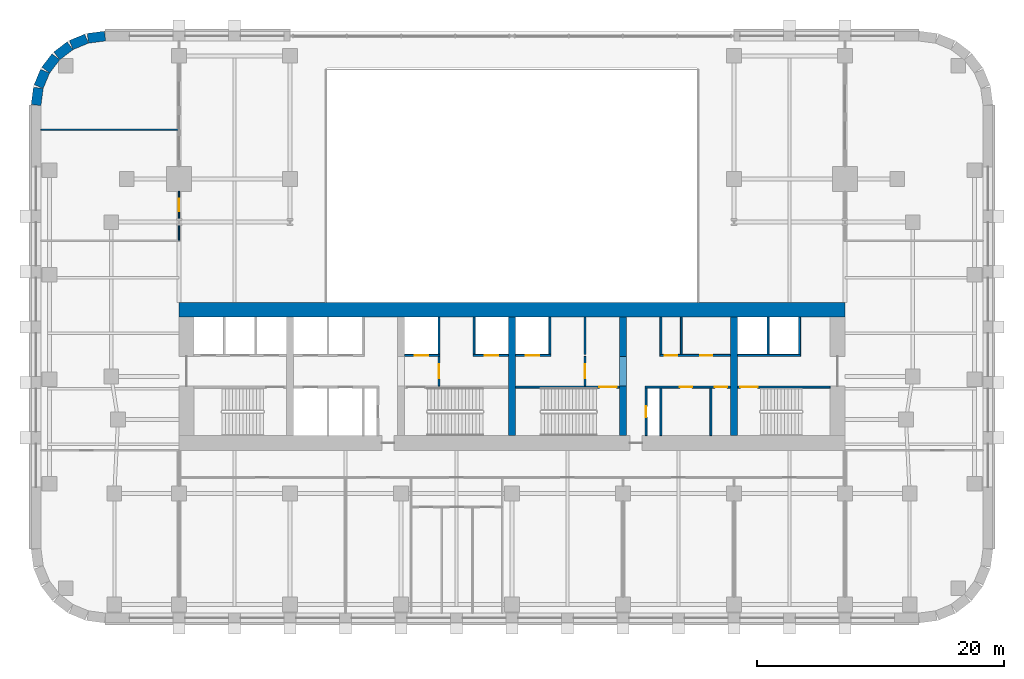
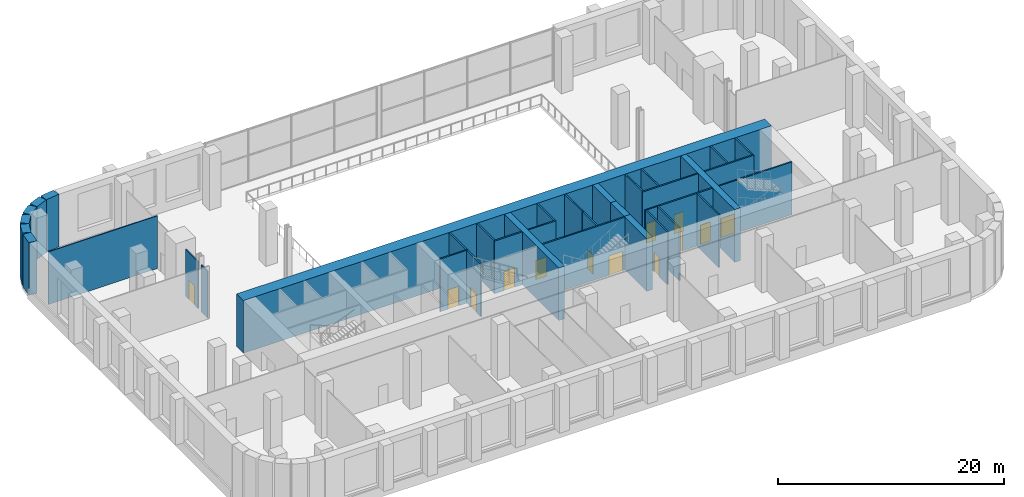
# One storey, part 6 of 13: 36 walls, 13 doors, 13 openings.
"""IFC4 building model written with IfcOpenShell, lengths in metres."""

from ifc_helpers import new_model, si_unit, direction, frame, frame_2d, origin, place, context, subcontext, project, spatial, rectangle, extrude, material, layer, layer_set, type_object, element, fill, save


model = new_model("IFC4")

# Units and contexts
model_context = context("Model", 3, precision=1e-05, world=origin(), true_north=direction((0.0, 1.0)))
body_context = subcontext(model_context, "Body", "Model", "MODEL_VIEW")
ifc_project = project(units=[si_unit("LENGTHUNIT", "METRE"), si_unit("AREAUNIT", "SQUARE_METRE"), si_unit("VOLUMEUNIT", "CUBIC_METRE"), si_unit("PLANEANGLEUNIT", "RADIAN"), si_unit("MASSUNIT", "GRAM", prefix="KILO")], contexts=[model_context])

# Site, building, storey
site_placement = place(None, origin())
site = spatial("IfcSite", under=ifc_project, at=site_placement, CompositionType="ELEMENT")
building_placement = place(site_placement, origin())
building = spatial("IfcBuilding", under=site, at=building_placement, Name="Zellij Exchange Tower", CompositionType="ELEMENT")
storey_placement = place(building_placement, frame((0.0, 0.0, 15.0)))
storey = spatial("IfcBuildingStorey", under=building, at=storey_placement, Name="L02", CompositionType="ELEMENT", Elevation=15.0)

# Walls
ifc_material_1 = material(Name="Concrete C70/85", Category="concrete")
ifc_layer_1 = layer(ifc_material_1, 0.60009765625)
ifc_layer_set_1 = layer_set([ifc_layer_1], Name="Concrete C70/85")
wall_type_1 = type_object("IfcWallType", Name="CORE-CW 600 C70/85", PredefinedType="SHEAR", material=ifc_layer_set_1)
wall_1_placement = place(storey_placement, frame((0.0, -12.800048828125, 0.0), z_axis=(0.0, 0.0, 1.0), x_axis=(0.0, 1.0, 0.0)))
element("IfcWall", 1, at=wall_1_placement, inside=storey, type_object=wall_type_1, Name="Core cross wall x 0 L02", PredefinedType="SHEAR", context=body_context, shape_type="SweptSolid", body=[
    extrude(rectangle(XDim=9.60009765625, YDim=0.60009765625, at=frame_2d((4.800048828125, 0.0))), origin(), (0.0, 0.0, 1.0), 5.699951171875),
])
wall_2_placement = place(storey_placement, frame((9.0, -12.800048828125, 0.0), z_axis=(0.0, 0.0, 1.0), x_axis=(0.0, 1.0, 0.0)))
element("IfcWall", 2, at=wall_2_placement, inside=storey, type_object=wall_type_1, Name="Core cross wall pier x 9 a L02", PredefinedType="SHEAR", context=body_context, shape_type="SweptSolid", body=[
    extrude(rectangle(XDim=4.0, YDim=0.60009765625, at=frame_2d((2.0, 0.0))), origin(), (0.0, 0.0, 1.0), 5.699951171875),
])
wall_3_placement = place(storey_placement, frame((9.0, -6.375, 0.0), z_axis=(0.0, 0.0, 1.0), x_axis=(0.0, 1.0, 0.0)))
element("IfcWall", 3, at=wall_3_placement, inside=storey, type_object=wall_type_1, Name="Core cross wall pier x 9 b L02", PredefinedType="SHEAR", context=body_context, shape_type="SweptSolid", body=[
    extrude(rectangle(XDim=3.175048828125, YDim=0.60009765625, at=frame_2d((1.58740234375, 0.0))), origin(), (0.0, 0.0, 1.0), 5.699951171875),
])
wall_4_placement = place(storey_placement, frame((9.0, -8.800048828125, 3.60009765625), z_axis=(0.0, 0.0, 1.0), x_axis=(0.0, 1.0, 0.0)))
element("IfcWall", 4, at=wall_4_placement, inside=storey, type_object=wall_type_1, Name="Core cross wall over opening x 9 L02", PredefinedType="SHEAR", context=body_context, shape_type="SweptSolid", body=[
    extrude(rectangle(XDim=2.425048828125, YDim=0.60009765625, at=frame_2d((1.21240234375, 0.0))), origin(), (0.0, 0.0, 1.0), 2.099853515625),
])
wall_5_placement = place(storey_placement, frame((18.0, -12.800048828125, 0.0), z_axis=(0.0, 0.0, 1.0), x_axis=(0.0, 1.0, 0.0)))
element("IfcWall", 5, at=wall_5_placement, inside=storey, type_object=wall_type_1, Name="Core cross wall x 18 L02", PredefinedType="SHEAR", context=body_context, shape_type="SweptSolid", body=[
    extrude(rectangle(XDim=9.60009765625, YDim=0.60009765625, at=frame_2d((4.800048828125, 0.0))), origin(), (0.0, 0.0, 1.0), 5.699951171875),
])

# Wall, opening, door
ifc_material_2 = material(Name="Gypsum shaft wall system")
ifc_layer_2 = layer(ifc_material_2, 0.14990234375)
ifc_layer_set_2 = layer_set([ifc_layer_2], Name="Gypsum shaft wall system")
wall_type_2 = type_object("IfcWallType", Name="CORE-PW 150 Firefighting lobby wall", PredefinedType="PARTITIONING", material=ifc_layer_set_2)
wall_6_placement = place(storey_placement, frame((-5.925048828125, -8.800048828125, 0.0), z_axis=(0.0, 0.0, 1.0), x_axis=(0.0, 1.0, 0.0)))
wall_6 = element("IfcWall", 6, at=wall_6_placement, inside=storey, type_object=wall_type_2, Name="Firefighting lobby wall L02", PredefinedType="PARTITIONING", context=body_context, shape_type="SweptSolid", body=[
    extrude(rectangle(XDim=2.425048828125, YDim=0.14990234375, at=frame_2d((1.21240234375, 0.0))), origin(), (0.0, 0.0, 1.0), 5.699951171875),
])
opening_1_placement = place(wall_6_placement, frame((0.662109375, 0.0, 0.0)))
opening_1 = element("IfcOpeningElement", 7, at=opening_1_placement, cuts=wall_6, Name="Opening CA-04.14", PredefinedType="OPENING", context=body_context, shape_type="SweptSolid", body=[
    extrude(rectangle(XDim=1.10009765625, YDim=2.10009765625, at=frame_2d((0.550048828125, 1.050048828125))), frame((0.0, 0.0869140625, 0.0), z_axis=(0.0, -1.0, 0.0), x_axis=(1.0, 0.0, 0.0)), (0.0, 0.0, 1.0), 0.173828125),
])
ifc_material_3 = material(Name="Hollow metal fire door")
door_type_1 = type_object("IfcDoorType", Name="CORE-D F Firefighting lobby door 1100x2100 1 HR", OperationType="NOTDEFINED", PredefinedType="DOOR", material=ifc_material_3)
door_1_placement = place(opening_1_placement, origin())
door_1 = element("IfcDoor", 8, at=door_1_placement, inside=storey, type_object=door_type_1, Name="Firefighting lobby door CA-04.14", OperationType="SINGLE_SWING_LEFT", OverallHeight=2.10009765625, OverallWidth=1.10009765625, PredefinedType="DOOR", context=body_context, shape_type="SweptSolid", body=[
    extrude(rectangle(XDim=1.10009765625, YDim=2.10009765625, at=frame_2d((0.550048828125, 1.050048828125))), frame((0.0, 0.02490234375, 0.0), z_axis=(0.0, -1.0, 0.0), x_axis=(1.0, 0.0, 0.0)), (0.0, 0.0, 1.0), 0.050048828125),
])
fill(opening_1, door_1)

wall_7_placement = place(storey_placement, frame((5.925048828125, -8.800048828125, 0.0), z_axis=(0.0, 0.0, 1.0), x_axis=(0.0, 1.0, 0.0)))
wall_7 = element("IfcWall", 9, at=wall_7_placement, inside=storey, type_object=wall_type_2, Name="Firefighting lobby wall L02", PredefinedType="PARTITIONING", context=body_context, shape_type="SweptSolid", body=[
    extrude(rectangle(XDim=2.425048828125, YDim=0.14990234375, at=frame_2d((1.21240234375, 0.0))), origin(), (0.0, 0.0, 1.0), 5.699951171875),
])
opening_2_placement = place(wall_7_placement, frame((0.662109375, 0.0, 0.0)))
opening_2 = element("IfcOpeningElement", 10, at=opening_2_placement, cuts=wall_7, Name="Opening CA-04.17", PredefinedType="OPENING", context=body_context, shape_type="SweptSolid", body=[
    extrude(rectangle(XDim=1.10009765625, YDim=2.10009765625, at=frame_2d((0.550048828125, 1.050048828125))), frame((0.0, 0.0869140625, 0.0), z_axis=(0.0, -1.0, 0.0), x_axis=(1.0, 0.0, 0.0)), (0.0, 0.0, 1.0), 0.173828125),
])
door_2_placement = place(opening_2_placement, origin())
door_2 = element("IfcDoor", 11, at=door_2_placement, inside=storey, type_object=door_type_1, Name="Firefighting lobby door CA-04.17", OperationType="SINGLE_SWING_RIGHT", OverallHeight=2.10009765625, OverallWidth=1.10009765625, PredefinedType="DOOR", context=body_context, shape_type="SweptSolid", body=[
    extrude(rectangle(XDim=1.10009765625, YDim=2.10009765625, at=frame_2d((0.550048828125, 1.050048828125))), frame((0.0, 0.02490234375, 0.0), z_axis=(0.0, -1.0, 0.0), x_axis=(1.0, 0.0, 0.0)), (0.0, 0.0, 1.0), 0.050048828125),
])
fill(opening_2, door_2)

# Walls
ifc_material_4 = material(Name="Gypsum board partition")
ifc_layer_3 = layer(ifc_material_4, 0.14990234375)
ifc_layer_set_3 = layer_set([ifc_layer_3], Name="Gypsum board partition")
wall_type_3 = type_object("IfcWallType", Name="CORE-PW 150 Lift lobby wall", PredefinedType="PARTITIONING", material=ifc_layer_set_3)
for number, where, z_axis, x_axis, name in (
    (12, (5.925048828125, -6.22509765625, 0.0), (0.0, 0.0, 1.0), (0.0, 1.0, 0.0), "Lift lobby wall L02"),
    (13, (12.074951171875, -6.22509765625, 0.0), (0.0, 0.0, 1.0), (0.0, 1.0, 0.0), "Lift lobby wall L02"),
    (14, (13.72509765625, -6.22509765625, 0.0), (0.0, 0.0, 1.0), (0.0, 1.0, 0.0), "Lift lobby wall L02"),
):
    element("IfcWall", number, at=place(storey_placement, frame(where, z_axis=z_axis, x_axis=x_axis)), inside=storey, type_object=wall_type_3, Name=name, PredefinedType="PARTITIONING", context=body_context, shape_type="SweptSolid", body=[
        extrude(rectangle(XDim=3.025146484375, YDim=0.14990234375, at=frame_2d((1.5126953125, 0.0))), origin(), (0.0, 0.0, 1.0), 5.699951171875),
    ])

# Wall, opening, door
wall_8_placement = place(storey_placement, frame((10.875, -12.800048828125, 0.0), z_axis=(0.0, 0.0, 1.0), x_axis=(0.0, 1.0, 0.0)))
wall_8 = element("IfcWall", 15, at=wall_8_placement, inside=storey, type_object=wall_type_3, Name="Lift lobby wall L02", PredefinedType="PARTITIONING", context=body_context, shape_type="SweptSolid", body=[
    extrude(rectangle(XDim=3.85009765625, YDim=0.14990234375, at=frame_2d((1.925048828125, 0.0))), origin(), (0.0, 0.0, 1.0), 5.699951171875),
])
opening_3_placement = place(wall_8_placement, frame((1.47509765625, 0.0, 0.0)))
opening_3 = element("IfcOpeningElement", 16, at=opening_3_placement, cuts=wall_8, Name="Opening CA-04.20", PredefinedType="OPENING", context=body_context, shape_type="SweptSolid", body=[
    extrude(rectangle(XDim=0.89990234375, YDim=2.10009765625, at=frame_2d((0.449951171875, 1.050048828125))), frame((0.0, 0.0869140625, 0.0), z_axis=(0.0, -1.0, 0.0), x_axis=(1.0, 0.0, 0.0)), (0.0, 0.0, 1.0), 0.173828125),
])
door_type_2 = type_object("IfcDoorType", Name="CORE-D RD Riser door 900x2100 1.5 HR", OperationType="NOTDEFINED", PredefinedType="DOOR", material=ifc_material_3)
door_3_placement = place(opening_3_placement, origin())
door_3 = element("IfcDoor", 17, at=door_3_placement, inside=storey, type_object=door_type_2, Name="Riser door CA-04.20", OperationType="SINGLE_SWING_LEFT", OverallHeight=2.10009765625, OverallWidth=0.89990234375, PredefinedType="DOOR", context=body_context, shape_type="SweptSolid", body=[
    extrude(rectangle(XDim=0.89990234375, YDim=2.10009765625, at=frame_2d((0.449951171875, 1.050048828125))), frame((0.0, 0.02490234375, 0.0), z_axis=(0.0, -1.0, 0.0), x_axis=(1.0, 0.0, 0.0)), (0.0, 0.0, 1.0), 0.050048828125),
])
fill(opening_3, door_3)

# Walls
for number, where, z_axis, x_axis, name in (
    (18, (12.074951171875, -12.800048828125, 0.0), (0.0, 0.0, 1.0), (0.0, 1.0, 0.0), "Lift lobby wall L02"),
    (19, (16.125, -12.800048828125, 0.0), (0.0, 0.0, 1.0), (0.0, 1.0, 0.0), "Lift lobby wall L02"),
):
    element("IfcWall", number, at=place(storey_placement, frame(where, z_axis=z_axis, x_axis=x_axis)), inside=storey, type_object=wall_type_3, Name=name, PredefinedType="PARTITIONING", context=body_context, shape_type="SweptSolid", body=[
        extrude(rectangle(XDim=3.85009765625, YDim=0.14990234375, at=frame_2d((1.925048828125, 0.0))), origin(), (0.0, 0.0, 1.0), 5.699951171875),
    ])

# Wall, openings, doors
wall_9_placement = place(storey_placement, frame((12.0, -6.300048828125, 0.0), z_axis=(0.0, 0.0, 1.0), x_axis=(1.0, 0.0, 0.0)))
wall_9 = element("IfcWall", 20, at=wall_9_placement, inside=storey, type_object=wall_type_3, Name="Lift lobby wall L02", PredefinedType="PARTITIONING", context=body_context, shape_type="SweptSolid", body=[
    extrude(rectangle(XDim=5.699951171875, YDim=0.14990234375, at=frame_2d((2.85009765625, 0.0))), origin(), (0.0, 0.0, 1.0), 5.699951171875),
])
opening_4_placement = place(wall_9_placement, frame((0.39990234375, 0.0, 0.0)))
opening_4 = element("IfcOpeningElement", 21, at=opening_4_placement, cuts=wall_9, Name="Opening CA-04.21", PredefinedType="OPENING", context=body_context, shape_type="SweptSolid", body=[
    extrude(rectangle(XDim=1.0, YDim=2.10009765625, at=frame_2d((0.5, 1.050048828125))), frame((0.0, 0.0869140625, 0.0), z_axis=(0.0, -1.0, 0.0), x_axis=(1.0, 0.0, 0.0)), (0.0, 0.0, 1.0), 0.173828125),
])
opening_5_placement = place(wall_9_placement, frame((3.25, 0.0, 0.0)))
opening_5 = element("IfcOpeningElement", 22, at=opening_5_placement, cuts=wall_9, Name="Opening CA-04.23", PredefinedType="OPENING", context=body_context, shape_type="SweptSolid", body=[
    extrude(rectangle(XDim=1.0, YDim=2.10009765625, at=frame_2d((0.5, 1.050048828125))), frame((0.0, 0.0869140625, 0.0), z_axis=(0.0, -1.0, 0.0), x_axis=(1.0, 0.0, 0.0)), (0.0, 0.0, 1.0), 0.173828125),
])
door_type_3 = type_object("IfcDoorType", Name="CORE-D CD Core room door 1000x2100 1 HR", OperationType="NOTDEFINED", PredefinedType="DOOR", material=ifc_material_3)
door_4_placement = place(opening_4_placement, origin())
door_4 = element("IfcDoor", 23, at=door_4_placement, inside=storey, type_object=door_type_3, Name="Core room door CA-04.21", OperationType="SINGLE_SWING_LEFT", OverallHeight=2.10009765625, OverallWidth=1.0, PredefinedType="DOOR", context=body_context, shape_type="SweptSolid", body=[
    extrude(rectangle(XDim=1.0, YDim=2.10009765625, at=frame_2d((0.5, 1.050048828125))), frame((0.0, 0.02490234375, 0.0), z_axis=(0.0, -1.0, 0.0), x_axis=(1.0, 0.0, 0.0)), (0.0, 0.0, 1.0), 0.050048828125),
])
fill(opening_4, door_4)
door_5_placement = place(opening_5_placement, origin())
door_5 = element("IfcDoor", 24, at=door_5_placement, inside=storey, type_object=door_type_3, Name="Core room door CA-04.23", OperationType="SINGLE_SWING_RIGHT", OverallHeight=2.10009765625, OverallWidth=1.0, PredefinedType="DOOR", context=body_context, shape_type="SweptSolid", body=[
    extrude(rectangle(XDim=1.0, YDim=2.10009765625, at=frame_2d((0.5, 1.050048828125))), frame((0.0, 0.02490234375, 0.0), z_axis=(0.0, -1.0, 0.0), x_axis=(1.0, 0.0, 0.0)), (0.0, 0.0, 1.0), 0.050048828125),
])
fill(opening_5, door_5)

wall_10_placement = place(storey_placement, frame((10.800048828125, -8.875, 0.0), z_axis=(0.0, 0.0, 1.0), x_axis=(1.0, 0.0, 0.0)))
wall_10 = element("IfcWall", 25, at=wall_10_placement, inside=storey, type_object=wall_type_3, Name="Lift lobby wall L02", PredefinedType="PARTITIONING", context=body_context, shape_type="SweptSolid", body=[
    extrude(rectangle(XDim=6.89990234375, YDim=0.14990234375, at=frame_2d((3.449951171875, 0.0))), origin(), (0.0, 0.0, 1.0), 5.699951171875),
])
opening_6_placement = place(wall_10_placement, frame((2.800048828125, 0.0, 0.0)))
opening_6 = element("IfcOpeningElement", 26, at=opening_6_placement, cuts=wall_10, Name="Opening CA-04.22", PredefinedType="OPENING", context=body_context, shape_type="SweptSolid", body=[
    extrude(rectangle(XDim=1.0, YDim=2.10009765625, at=frame_2d((0.5, 1.050048828125))), frame((0.0, 0.0869140625, 0.0), z_axis=(0.0, -1.0, 0.0), x_axis=(1.0, 0.0, 0.0)), (0.0, 0.0, 1.0), 0.173828125),
])
opening_7_placement = place(wall_10_placement, frame((5.64990234375, 0.0, 0.0)))
opening_7 = element("IfcOpeningElement", 27, at=opening_7_placement, cuts=wall_10, Name="Opening CA-04.24", PredefinedType="OPENING", context=body_context, shape_type="SweptSolid", body=[
    extrude(rectangle(XDim=1.0, YDim=2.10009765625, at=frame_2d((0.5, 1.050048828125))), frame((0.0, 0.0869140625, 0.0), z_axis=(0.0, -1.0, 0.0), x_axis=(1.0, 0.0, 0.0)), (0.0, 0.0, 1.0), 0.173828125),
])
door_6_placement = place(opening_6_placement, origin())
door_6 = element("IfcDoor", 28, at=door_6_placement, inside=storey, type_object=door_type_3, Name="Core room door CA-04.22", OperationType="SINGLE_SWING_RIGHT", OverallHeight=2.10009765625, OverallWidth=1.0, PredefinedType="DOOR", context=body_context, shape_type="SweptSolid", body=[
    extrude(rectangle(XDim=1.0, YDim=2.10009765625, at=frame_2d((0.5, 1.050048828125))), frame((0.0, 0.02490234375, 0.0), z_axis=(0.0, -1.0, 0.0), x_axis=(1.0, 0.0, 0.0)), (0.0, 0.0, 1.0), 0.050048828125),
])
fill(opening_6, door_6)
door_7_placement = place(opening_7_placement, origin())
door_7 = element("IfcDoor", 29, at=door_7_placement, inside=storey, type_object=door_type_3, Name="Core room door CA-04.24", OperationType="SINGLE_SWING_LEFT", OverallHeight=2.10009765625, OverallWidth=1.0, PredefinedType="DOOR", context=body_context, shape_type="SweptSolid", body=[
    extrude(rectangle(XDim=1.0, YDim=2.10009765625, at=frame_2d((0.5, 1.050048828125))), frame((0.0, 0.02490234375, 0.0), z_axis=(0.0, -1.0, 0.0), x_axis=(1.0, 0.0, 0.0)), (0.0, 0.0, 1.0), 0.050048828125),
])
fill(opening_7, door_7)

# Walls
ifc_layer_4 = layer(ifc_material_2, 0.14990234375)
ifc_layer_set_4 = layer_set([ifc_layer_4], Name="Gypsum shaft wall system")
wall_type_4 = type_object("IfcWallType", Name="CORE-PW 150 Lift shaft wall", PredefinedType="PARTITIONING", material=ifc_layer_set_4)
for number, where, z_axis, x_axis, name in (
    (30, (-3.074951171875, -6.22509765625, 0.0), (0.0, 0.0, 1.0), (0.0, 1.0, 0.0), "Lift shaft wall L02"),
    (31, (-5.925048828125, -6.22509765625, 0.0), (0.0, 0.0, 1.0), (0.0, 1.0, 0.0), "Lift shaft wall L02"),
    (32, (3.074951171875, -6.22509765625, 0.0), (0.0, 0.0, 1.0), (0.0, 1.0, 0.0), "Lift shaft wall L02"),
    (33, (20.77490234375, -6.22509765625, 0.0), (0.0, 0.0, 1.0), (0.0, 1.0, 0.0), "Lift shaft wall L02"),
    (34, (23.324951171875, -6.22509765625, 0.0), (0.0, 0.0, 1.0), (0.0, 1.0, 0.0), "Lift shaft wall L02"),
):
    element("IfcWall", number, at=place(storey_placement, frame(where, z_axis=z_axis, x_axis=x_axis)), inside=storey, type_object=wall_type_4, Name=name, PredefinedType="PARTITIONING", context=body_context, shape_type="SweptSolid", body=[
        extrude(rectangle(XDim=3.025146484375, YDim=0.14990234375, at=frame_2d((1.5126953125, 0.0))), origin(), (0.0, 0.0, 1.0), 5.699951171875),
    ])

# Wall, opening, door
wall_11_placement = place(storey_placement, frame((-8.699951171875, -6.300048828125, 0.0), z_axis=(0.0, 0.0, 1.0), x_axis=(1.0, 0.0, 0.0)))
wall_11 = element("IfcWall", 35, at=wall_11_placement, inside=storey, type_object=wall_type_4, Name="Lift shaft wall L02", PredefinedType="PARTITIONING", context=body_context, shape_type="SweptSolid", body=[
    extrude(rectangle(XDim=2.849853515625, YDim=0.14990234375, at=frame_2d((1.4248046875, 0.0))), origin(), (0.0, 0.0, 1.0), 5.699951171875),
])
opening_8_placement = place(wall_11_placement, frame((0.800048828125, 0.0, 0.0)))
opening_8 = element("IfcOpeningElement", 36, at=opening_8_placement, cuts=wall_11, Name="Opening CA-04.13", PredefinedType="OPENING", context=body_context, shape_type="SweptSolid", body=[
    extrude(rectangle(XDim=1.10009765625, YDim=2.10009765625, at=frame_2d((0.550048828125, 1.050048828125))), frame((0.0, 0.0869140625, 0.0), z_axis=(0.0, -1.0, 0.0), x_axis=(1.0, 0.0, 0.0)), (0.0, 0.0, 1.0), 0.173828125),
])
door_type_4 = type_object("IfcDoorType", Name="CORE-D LD Lift landing door 1100x2100 1.5 HR", OperationType="NOTDEFINED", PredefinedType="DOOR", material=ifc_material_3)
door_8_placement = place(opening_8_placement, origin())
door_8 = element("IfcDoor", 37, at=door_8_placement, inside=storey, type_object=door_type_4, Name="Lift landing door CA-04.13", OperationType="SLIDING_TO_LEFT", OverallHeight=2.10009765625, OverallWidth=1.10009765625, PredefinedType="DOOR", context=body_context, shape_type="SweptSolid", body=[
    extrude(rectangle(XDim=1.10009765625, YDim=2.10009765625, at=frame_2d((0.550048828125, 1.050048828125))), frame((0.0, 0.02490234375, 0.0), z_axis=(0.0, -1.0, 0.0), x_axis=(1.0, 0.0, 0.0)), (0.0, 0.0, 1.0), 0.050048828125),
])
fill(opening_8, door_8)

wall_12_placement = place(storey_placement, frame((-3.14990234375, -6.300048828125, 0.0), z_axis=(0.0, 0.0, 1.0), x_axis=(1.0, 0.0, 0.0)))
wall_12 = element("IfcWall", 38, at=wall_12_placement, inside=storey, type_object=wall_type_4, Name="Lift shaft wall L02", PredefinedType="PARTITIONING", context=body_context, shape_type="SweptSolid", body=[
    extrude(rectangle(XDim=2.849853515625, YDim=0.14990234375, at=frame_2d((1.4248046875, 0.0))), origin(), (0.0, 0.0, 1.0), 5.699951171875),
])
opening_9_placement = place(wall_12_placement, frame((0.949951171875, 0.0, 0.0)))
opening_9 = element("IfcOpeningElement", 39, at=opening_9_placement, cuts=wall_12, Name="Opening CA-04.15", PredefinedType="OPENING", context=body_context, shape_type="SweptSolid", body=[
    extrude(rectangle(XDim=1.10009765625, YDim=2.10009765625, at=frame_2d((0.550048828125, 1.050048828125))), frame((0.0, 0.0869140625, 0.0), z_axis=(0.0, -1.0, 0.0), x_axis=(1.0, 0.0, 0.0)), (0.0, 0.0, 1.0), 0.173828125),
])
door_9_placement = place(opening_9_placement, origin())
door_9 = element("IfcDoor", 40, at=door_9_placement, inside=storey, type_object=door_type_4, Name="Lift landing door CA-04.15", OperationType="SLIDING_TO_LEFT", OverallHeight=2.10009765625, OverallWidth=1.10009765625, PredefinedType="DOOR", context=body_context, shape_type="SweptSolid", body=[
    extrude(rectangle(XDim=1.10009765625, YDim=2.10009765625, at=frame_2d((0.550048828125, 1.050048828125))), frame((0.0, 0.02490234375, 0.0), z_axis=(0.0, -1.0, 0.0), x_axis=(1.0, 0.0, 0.0)), (0.0, 0.0, 1.0), 0.050048828125),
])
fill(opening_9, door_9)

wall_13_placement = place(storey_placement, frame((0.300048828125, -6.300048828125, 0.0), z_axis=(0.0, 0.0, 1.0), x_axis=(1.0, 0.0, 0.0)))
wall_13 = element("IfcWall", 41, at=wall_13_placement, inside=storey, type_object=wall_type_4, Name="Lift shaft wall L02", PredefinedType="PARTITIONING", context=body_context, shape_type="SweptSolid", body=[
    extrude(rectangle(XDim=2.849853515625, YDim=0.14990234375, at=frame_2d((1.4248046875, 0.0))), origin(), (0.0, 0.0, 1.0), 5.699951171875),
])
opening_10_placement = place(wall_13_placement, frame((0.800048828125, 0.0, 0.0)))
opening_10 = element("IfcOpeningElement", 42, at=opening_10_placement, cuts=wall_13, Name="Opening CA-04.16", PredefinedType="OPENING", context=body_context, shape_type="SweptSolid", body=[
    extrude(rectangle(XDim=1.10009765625, YDim=2.10009765625, at=frame_2d((0.550048828125, 1.050048828125))), frame((0.0, 0.0869140625, 0.0), z_axis=(0.0, -1.0, 0.0), x_axis=(1.0, 0.0, 0.0)), (0.0, 0.0, 1.0), 0.173828125),
])
door_10_placement = place(opening_10_placement, origin())
door_10 = element("IfcDoor", 43, at=door_10_placement, inside=storey, type_object=door_type_4, Name="Lift landing door CA-04.16", OperationType="SLIDING_TO_RIGHT", OverallHeight=2.10009765625, OverallWidth=1.10009765625, PredefinedType="DOOR", context=body_context, shape_type="SweptSolid", body=[
    extrude(rectangle(XDim=1.10009765625, YDim=2.10009765625, at=frame_2d((0.550048828125, 1.050048828125))), frame((0.0, 0.02490234375, 0.0), z_axis=(0.0, -1.0, 0.0), x_axis=(1.0, 0.0, 0.0)), (0.0, 0.0, 1.0), 0.050048828125),
])
fill(opening_10, door_10)

# Walls
wall_14_placement = place(storey_placement, frame((18.300048828125, -6.300048828125, 0.0), z_axis=(0.0, 0.0, 1.0), x_axis=(1.0, 0.0, 0.0)))
element("IfcWall", 44, at=wall_14_placement, inside=storey, type_object=wall_type_4, Name="Lift shaft wall L02", PredefinedType="PARTITIONING", context=body_context, shape_type="SweptSolid", body=[
    extrude(rectangle(XDim=5.099853515625, YDim=0.14990234375, at=frame_2d((2.5498046875, 0.0))), origin(), (0.0, 0.0, 1.0), 5.699951171875),
])
ifc_layer_5 = layer(ifc_material_1, 1.199951171875)
ifc_layer_set_5 = layer_set([ifc_layer_5], Name="Concrete C70/85")
wall_type_5 = type_object("IfcWallType", Name="CORE-SW 1200 C70/85", PredefinedType="SHEAR", material=ifc_layer_set_5)
wall_15_placement = place(storey_placement, frame((-27.0, -2.60009765625, 0.0), z_axis=(0.0, 0.0, 1.0), x_axis=(1.0, 0.0, 0.0)))
element("IfcWall", 45, at=wall_15_placement, inside=storey, type_object=wall_type_5, Name="Core shear wall front L02", PredefinedType="SHEAR", context=body_context, shape_type="SweptSolid", body=[
    extrude(rectangle(XDim=54.0, YDim=1.199951171875, at=frame_2d((27.0, 0.0))), origin(), (0.0, 0.0, 1.0), 5.699951171875),
])

# Wall, opening, door
ifc_layer_6 = layer(ifc_material_1, 0.14990234375)
ifc_layer_set_6 = layer_set([ifc_layer_6], Name="Concrete C70/85")
wall_type_6 = type_object("IfcWallType", Name="CORE-SWS 150 C70/85", PredefinedType="SHEAR", material=ifc_layer_set_6)
wall_16_placement = place(storey_placement, frame((0.300048828125, -8.875, 0.0), z_axis=(0.0, 0.0, 1.0), x_axis=(1.0, 0.0, 0.0)))
wall_16 = element("IfcWall", 46, at=wall_16_placement, inside=storey, type_object=wall_type_6, Name="Stair enclosure wall L02", PredefinedType="SHEAR", context=body_context, shape_type="SweptSolid", body=[
    extrude(rectangle(XDim=8.39990234375, YDim=0.14990234375, at=frame_2d((4.199951171875, 0.0))), origin(), (0.0, 0.0, 1.0), 5.699951171875),
])
opening_11_placement = place(wall_16_placement, frame((6.77490234375, 0.0, 0.0)))
opening_11 = element("IfcOpeningElement", 47, at=opening_11_placement, cuts=wall_16, Name="Opening CA-04.18", PredefinedType="OPENING", context=body_context, shape_type="SweptSolid", body=[
    extrude(rectangle(XDim=1.39990234375, YDim=2.10009765625, at=frame_2d((0.699951171875, 1.050048828125))), frame((0.0, 0.0869140625, 0.0), z_axis=(0.0, -1.0, 0.0), x_axis=(1.0, 0.0, 0.0)), (0.0, 0.0, 1.0), 0.173828125),
])
door_type_5 = type_object("IfcDoorType", Name="CORE-D SD Stair door 1400x2100 1.5 HR", OperationType="NOTDEFINED", PredefinedType="DOOR", material=ifc_material_3)
door_11_placement = place(opening_11_placement, origin())
door_11 = element("IfcDoor", 48, at=door_11_placement, inside=storey, type_object=door_type_5, Name="Stair door CA-04.18", OperationType="DOUBLE_DOOR_SINGLE_SWING", OverallHeight=2.10009765625, OverallWidth=1.39990234375, PredefinedType="DOOR", context=body_context, shape_type="SweptSolid", body=[
    extrude(rectangle(XDim=1.39990234375, YDim=2.10009765625, at=frame_2d((0.699951171875, 1.050048828125))), frame((0.0, 0.02490234375, 0.0), z_axis=(0.0, -1.0, 0.0), x_axis=(1.0, 0.0, 0.0)), (0.0, 0.0, 1.0), 0.050048828125),
])
fill(opening_11, door_11)

wall_17_placement = place(storey_placement, frame((18.300048828125, -8.875, 0.0), z_axis=(0.0, 0.0, 1.0), x_axis=(1.0, 0.0, 0.0)))
wall_17 = element("IfcWall", 49, at=wall_17_placement, inside=storey, type_object=wall_type_6, Name="Stair enclosure wall L02", PredefinedType="SHEAR", context=body_context, shape_type="SweptSolid", body=[
    extrude(rectangle(XDim=7.5, YDim=0.14990234375, at=frame_2d((3.75, 0.0))), origin(), (0.0, 0.0, 1.0), 5.699951171875),
])
opening_12_placement = place(wall_17_placement, frame((0.22509765625, 0.0, 0.0)))
opening_12 = element("IfcOpeningElement", 50, at=opening_12_placement, cuts=wall_17, Name="Opening CA-04.25", PredefinedType="OPENING", context=body_context, shape_type="SweptSolid", body=[
    extrude(rectangle(XDim=1.39990234375, YDim=2.10009765625, at=frame_2d((0.699951171875, 1.050048828125))), frame((0.0, 0.0869140625, 0.0), z_axis=(0.0, -1.0, 0.0), x_axis=(1.0, 0.0, 0.0)), (0.0, 0.0, 1.0), 0.173828125),
])
door_12_placement = place(opening_12_placement, origin())
door_12 = element("IfcDoor", 51, at=door_12_placement, inside=storey, type_object=door_type_5, Name="Stair door CA-04.25", OperationType="DOUBLE_DOOR_SINGLE_SWING", OverallHeight=2.10009765625, OverallWidth=1.39990234375, PredefinedType="DOOR", context=body_context, shape_type="SweptSolid", body=[
    extrude(rectangle(XDim=1.39990234375, YDim=2.10009765625, at=frame_2d((0.699951171875, 1.050048828125))), frame((0.0, 0.02490234375, 0.0), z_axis=(0.0, -1.0, 0.0), x_axis=(1.0, 0.0, 0.0)), (0.0, 0.0, 1.0), 0.050048828125),
])
fill(opening_12, door_12)

# Walls
ifc_material_5 = material(Name="Precast concrete C40/50", Category="concrete")
ifc_layer_7 = layer(ifc_material_5, 0.800048828125)
ifc_layer_set_7 = layer_set([ifc_layer_7], Name="Precast concrete C40/50")
wall_type_7 = type_object("IfcWallType", Name="ENV-EW1 Precast stone-piered wall 800", PredefinedType="SOLIDWALL", material=ifc_layer_set_7)
wall_18_placement = place(storey_placement, frame((-32.999755859375, 19.5966796875, 0.0), z_axis=(0.0, 0.0, 1.0), x_axis=(-0.99144603414, -0.130517283865, 0.0)))
element("IfcWall", 52, at=wall_18_placement, inside=storey, type_object=wall_type_7, Name="fac.L02.15", PredefinedType="SOLIDWALL", context=body_context, shape_type="SweptSolid", body=[
    extrude(rectangle(XDim=1.408447265625, YDim=0.800048828125, at=frame_2d((0.7041015625, 0.0))), origin(), (0.0, 0.0, 1.0), 5.699951171875),
])
wall_19_placement = place(storey_placement, frame((-34.497314453125, 19.3857421875, 0.0), z_axis=(0.0, 0.0, 1.0), x_axis=(-0.923847774587, -0.38276009378, 0.0)))
element("IfcWall", 53, at=wall_19_placement, inside=storey, type_object=wall_type_7, Name="fac.L02.16", PredefinedType="SOLIDWALL", context=body_context, shape_type="SweptSolid", body=[
    extrude(rectangle(XDim=1.35546875, YDim=0.800048828125, at=frame_2d((0.677734375, 0.0))), origin(), (0.0, 0.0, 1.0), 5.699951171875),
])
for number, where, z_axis, x_axis, name in (
    (54, (-35.840087890625, 18.814697265625, 0.0), (0.0, 0.0, 1.0), (-0.793272915452, -0.608866226366, 0.0), "fac.L02.17"),
    (55, (-36.9892578125, 17.91552734375, 0.0), (0.0, 0.0, 1.0), (-0.608866226366, -0.793272915452, 0.0), "fac.L02.18"),
):
    element("IfcWall", number, at=place(storey_placement, frame(where, z_axis=z_axis, x_axis=x_axis)), inside=storey, type_object=wall_type_7, Name=name, PredefinedType="SOLIDWALL", context=body_context, shape_type="SweptSolid", body=[
        extrude(rectangle(XDim=1.355712890625, YDim=0.800048828125, at=frame_2d((0.677734375, 0.0))), origin(), (0.0, 0.0, 1.0), 5.699951171875),
    ])
wall_20_placement = place(storey_placement, frame((-37.866943359375, 16.74951171875, 0.0), z_axis=(0.0, 0.0, 1.0), x_axis=(-0.38276009378, -0.923847774587, 0.0)))
element("IfcWall", 56, at=wall_20_placement, inside=storey, type_object=wall_type_7, Name="fac.L02.19", PredefinedType="SOLIDWALL", context=body_context, shape_type="SweptSolid", body=[
    extrude(rectangle(XDim=1.35546875, YDim=0.800048828125, at=frame_2d((0.677734375, 0.0))), origin(), (0.0, 0.0, 1.0), 5.699951171875),
])
wall_21_placement = place(storey_placement, frame((-38.412841796875, 15.396240234375, 0.0), z_axis=(0.0, 0.0, 1.0), x_axis=(-0.130517283865, -0.99144603414, 0.0)))
element("IfcWall", 57, at=wall_21_placement, inside=storey, type_object=wall_type_7, Name="fac.L02.20", PredefinedType="SOLIDWALL", context=body_context, shape_type="SweptSolid", body=[
    extrude(rectangle(XDim=1.408447265625, YDim=0.800048828125, at=frame_2d((0.7041015625, 0.0))), origin(), (0.0, 0.0, 1.0), 5.699951171875),
])
ifc_material_6 = material(Name="Gypsum board partition on steel studs", Category="steel")
ifc_layer_8 = layer(ifc_material_6, 0.10009765625)
ifc_layer_set_8 = layer_set([ifc_layer_8], Name="Gypsum board partition on steel studs")
wall_type_8 = type_object("IfcWallType", Name="FIT-PARTITION-100", PredefinedType="PARTITIONING", material=ifc_layer_set_8)
wall_22_placement = place(storey_placement, frame((-27.0, 3.050048828125, 0.0), z_axis=(0.0, 0.0, 1.0), x_axis=(0.0, 1.0, 0.0)))
element("IfcWall", 58, at=wall_22_placement, inside=storey, type_object=wall_type_8, Name="FIT-PARTITION-100 020", PredefinedType="PARTITIONING", context=body_context, shape_type="SweptSolid", body=[
    extrude(rectangle(XDim=1.16552734375, YDim=0.10009765625, at=frame_2d((0.582763671875, 0.0))), origin(), (0.0, 0.0, 1.0), 5.087890625),
])

# Wall, opening, door
wall_23_placement = place(storey_placement, frame((-27.0, 4.784423828125, 0.0), z_axis=(0.0, 0.0, 1.0), x_axis=(0.0, 1.0, 0.0)))
wall_23 = element("IfcWall", 59, at=wall_23_placement, inside=storey, type_object=wall_type_8, Name="FIT-PARTITION-100 021", PredefinedType="PARTITIONING", context=body_context, shape_type="SweptSolid", body=[
    extrude(rectangle(XDim=2.215576171875, YDim=0.10009765625, at=frame_2d((1.10791015625, 0.0))), origin(), (0.0, 0.0, 1.0), 5.087890625),
])
opening_13_placement = place(wall_23_placement, frame((0.615478515625, 0.0, 0.0)))
opening_13 = element("IfcOpeningElement", 60, at=opening_13_placement, cuts=wall_23, Name="Opening P2.12", PredefinedType="OPENING", context=body_context, shape_type="SweptSolid", body=[
    extrude(rectangle(XDim=1.0, YDim=2.10009765625, at=frame_2d((0.5, 1.050048828125))), frame((0.0, 0.06201171875, 0.0), z_axis=(0.0, -1.0, 0.0), x_axis=(1.0, 0.0, 0.0)), (0.0, 0.0, 1.0), 0.1240234375),
])
ifc_material_7 = material(Name="Timber door set", Category="wood")
door_type_6 = type_object("IfcDoorType", Name="FIT-D2-WIDE-1000X2100", OperationType="SINGLE_SWING_LEFT", PredefinedType="DOOR", material=ifc_material_7)
door_13_placement = place(opening_13_placement, origin())
door_13 = element("IfcDoor", 61, at=door_13_placement, inside=storey, type_object=door_type_6, Name="Door P2.12", OperationType="SINGLE_SWING_LEFT", OverallHeight=2.10009765625, OverallWidth=1.0, PredefinedType="DOOR", context=body_context, shape_type="SweptSolid", body=[
    extrude(rectangle(XDim=1.0, YDim=2.10009765625, at=frame_2d((0.5, 1.050048828125))), frame((0.0, 0.02490234375, 0.0), z_axis=(0.0, -1.0, 0.0), x_axis=(1.0, 0.0, 0.0)), (0.0, 0.0, 1.0), 0.050048828125),
])
fill(opening_13, door_13)

# Wall
wall_24_placement = place(storey_placement, frame((-38.199951171875, 12.0, 0.0), z_axis=(0.0, 0.0, 1.0), x_axis=(1.0, 0.0, 0.0)))
element("IfcWall", 62, at=wall_24_placement, inside=storey, type_object=wall_type_8, Name="FIT-PARTITION-100 029", PredefinedType="PARTITIONING", context=body_context, shape_type="SweptSolid", body=[
    extrude(rectangle(XDim=11.14990234375, YDim=0.10009765625, at=frame_2d((5.574951171875, 0.0))), origin(), (0.0, 0.0, 1.0), 5.699951171875),
])

save(model, "model.ifc")
